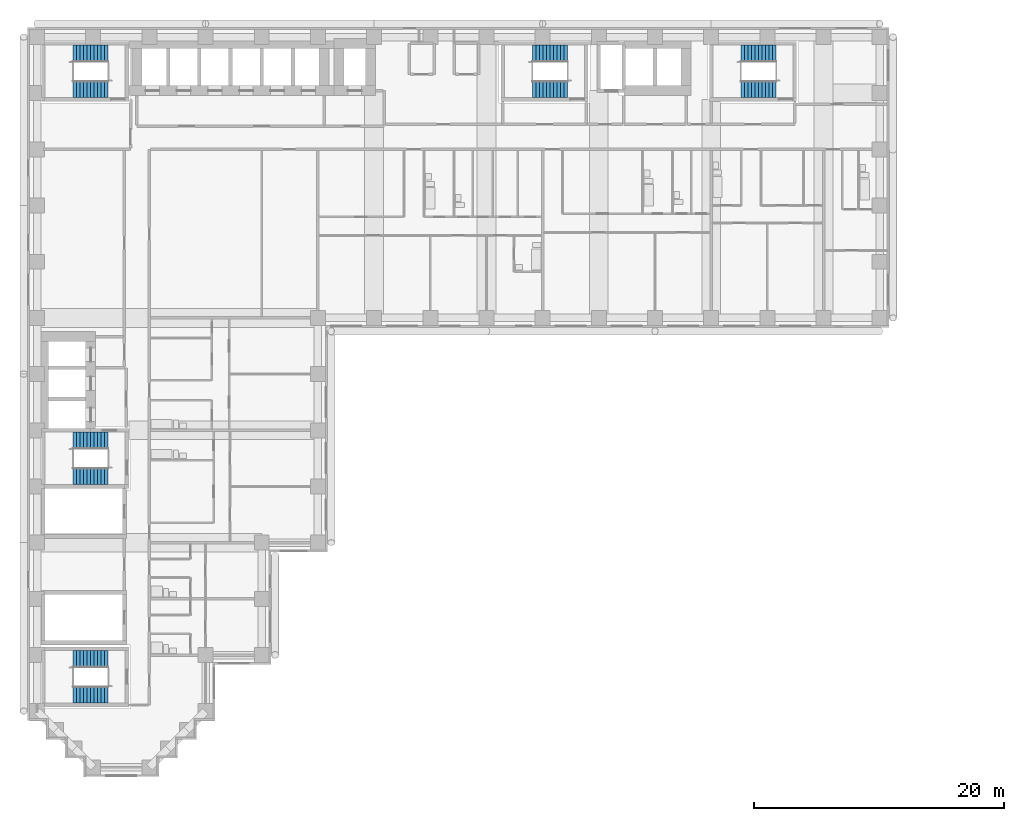
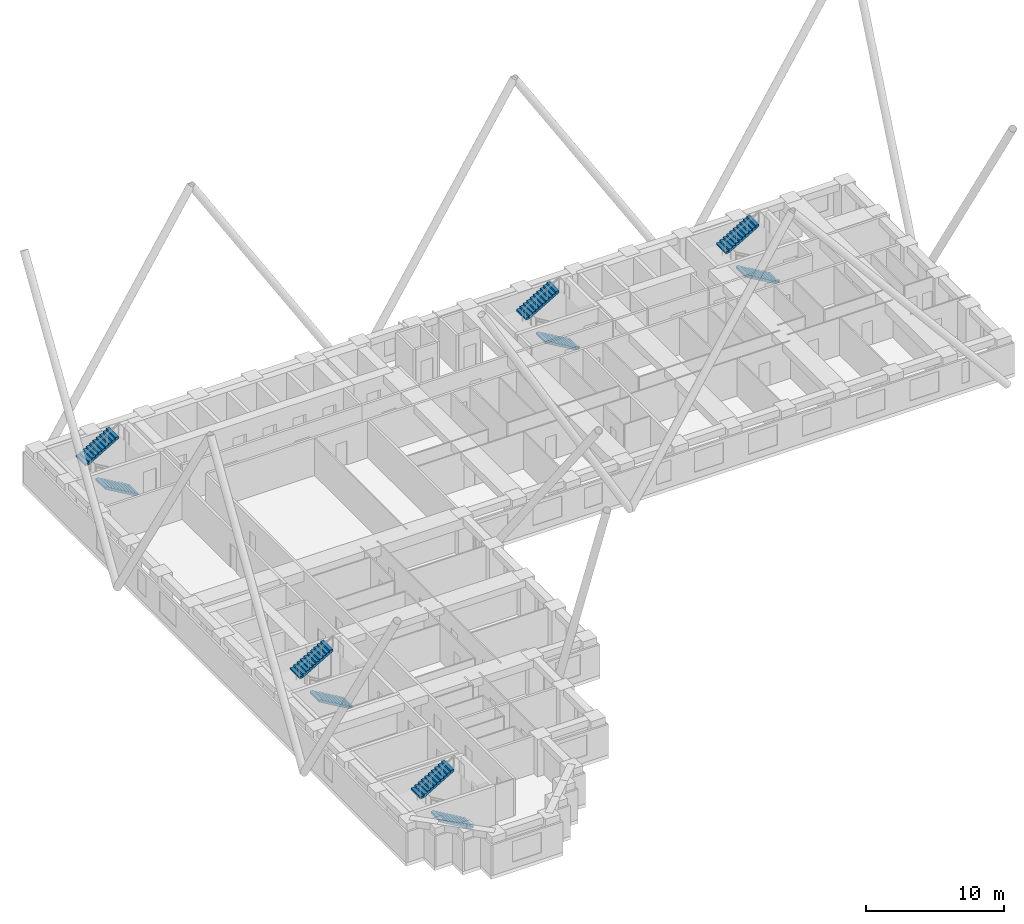
# One storey, part 16 of 20: 10 stair flights, 5 elements without a shape of their own.
"""IFC4 building model written with IfcOpenShell, lengths in metres."""

import ifcopenshell
import ifcopenshell.guid

model = None  # the IFC model being written
_history = None  # IfcOwnerHistory: only IFC2X3 demands one
_inside = {}  # id of a spatial element -> (the spatial element, [elements in it])
_under = {}  # id of a project, library or spatial element -> (it, [spatial elements below it])
_declared = {}  # id of a project -> (the project, [libraries it declares])
_typed = {}  # id of a type object -> (the type object, [elements of that type])
_made_of = {}  # id of a material, layer set ... -> (it, [elements and type objects made of it])


def new_model(schema):
    """Start an empty IFC model of exactly this schema.

    Asked for "IFC4X3", IfcOpenShell would pick the latest addendum, in which some entities
    have other attributes; the version numbers below select the first issue.
    IFC2X3 requires an IfcOwnerHistory on every rooted entity: one is made here for all.
    """
    global model, _history
    if schema == "IFC4X3":
        model = ifcopenshell.file(schema_version=(4, 3, 0, 0))
    else:
        model = ifcopenshell.file(schema=schema)
    _inside.clear()
    _under.clear()
    _declared.clear()
    _typed.clear()
    _made_of.clear()
    _history = None
    if model.schema == "IFC2X3":
        org = make("IfcOrganization", Name="unknown")
        user = make(
            "IfcPersonAndOrganization",
            ThePerson=make("IfcPerson", FamilyName="unknown"),
            TheOrganization=org,
        )
        app = make(
            "IfcApplication",
            ApplicationDeveloper=org,
            Version="unknown",
            ApplicationFullName="unknown",
            ApplicationIdentifier="unknown",
        )
        _history = make(
            "IfcOwnerHistory",
            OwningUser=user,
            OwningApplication=app,
            ChangeAction="ADDED",
            CreationDate=0,
        )
    return model


def make(cls, **values):
    """One entity of the class cls with the attributes given. An attribute that is None is left unset."""
    return model.create_entity(
        cls, **{name: value for name, value in values.items() if value is not None}
    )


def rooted(cls, **values):
    """An entity with a GlobalId (a new one), such as an element, a storey or a relation."""
    return make(cls, GlobalId=ifcopenshell.guid.new(), OwnerHistory=_history, **values)


def si_unit(unit_type, name, prefix=None):
    """IfcSIUnit, for example si_unit("LENGTHUNIT", "METRE", prefix="MILLI")."""
    return make("IfcSIUnit", UnitType=unit_type, Prefix=prefix, Name=name)


def assignment(units):
    """IfcUnitAssignment: the units of a project."""
    return None if units is None else make("IfcUnitAssignment", Units=units)


def point(xyz):
    """IfcCartesianPoint."""
    return None if xyz is None else make("IfcCartesianPoint", Coordinates=xyz)


def direction(xyz):
    """IfcDirection."""
    return None if xyz is None else make("IfcDirection", DirectionRatios=xyz)


def frame(location, z_axis=None, x_axis=None):
    """IfcAxis2Placement3D, a coordinate frame: its origin and axes. An axis left out is left unset."""
    return make(
        "IfcAxis2Placement3D",
        Location=point(location),
        Axis=direction(z_axis),
        RefDirection=direction(x_axis),
    )


def origin():
    """The frame at (0, 0, 0) with its axes left unset."""
    return frame((0.0, 0.0, 0.0))


def place(relative_to, where):
    """IfcLocalPlacement: puts the frame where relative to a parent placement (None: the world)."""
    return make(
        "IfcLocalPlacement", PlacementRelTo=relative_to, RelativePlacement=where
    )


def context(
    kind, dimensions, precision=None, world=None, true_north=None, identifier=None
):
    """IfcGeometricRepresentationContext, for example the 3D "Model" context."""
    return make(
        "IfcGeometricRepresentationContext",
        ContextIdentifier=identifier,
        ContextType=kind,
        CoordinateSpaceDimension=dimensions,
        Precision=precision,
        WorldCoordinateSystem=world,
        TrueNorth=true_north,
    )


def subcontext(parent, identifier, kind, view, scale=None):
    """IfcGeometricRepresentationSubContext, for example "Body" below "Model"."""
    return make(
        "IfcGeometricRepresentationSubContext",
        ContextIdentifier=identifier,
        ContextType=kind,
        ParentContext=parent,
        TargetScale=scale,
        TargetView=view,
    )


def project(units=None, contexts=None):
    """IfcProject with its units and contexts."""
    return rooted(
        "IfcProject",
        Name="project",
        RepresentationContexts=contexts,
        UnitsInContext=assignment(units),
    )


def spatial(cls, under=None, at=None, **own):
    """A site, building, storey or space (cls), placed at a placement, below another one or the project."""
    s = rooted(cls, ObjectPlacement=at, **own)
    if under is not None:
        _under.setdefault(under.id(), (under, []))[1].append(s)
    return s


def polyline(points):
    """IfcPolyline through the points."""
    return make("IfcPolyline", Points=[point(p) for p in points])


def outline(outer, holes=None, kind="AREA"):
    """IfcArbitraryClosedProfileDef: a profile drawn as a closed curve; with holes, ...WithVoids."""
    if holes is None:
        return make("IfcArbitraryClosedProfileDef", ProfileType=kind, OuterCurve=outer)
    return make(
        "IfcArbitraryProfileDefWithVoids",
        ProfileType=kind,
        OuterCurve=outer,
        InnerCurves=holes,
    )


def extrude(swept, where, along, depth):
    """IfcExtrudedAreaSolid: the profile swept, set in the frame where, extruded along a direction by depth."""
    return make(
        "IfcExtrudedAreaSolid",
        SweptArea=swept,
        Position=where,
        ExtrudedDirection=direction(along),
        Depth=depth,
    )


def shape(context_of_items, identifier, shape_type, items):
    """IfcShapeRepresentation: the items that make up one representation, for example the "Body"."""
    return make(
        "IfcShapeRepresentation",
        ContextOfItems=context_of_items,
        RepresentationIdentifier=identifier,
        RepresentationType=shape_type,
        Items=items,
    )


def material(Name=None, Category=None):
    """IfcMaterial."""
    return make("IfcMaterial", Name=Name, Category=Category)


def made_of(thing, what):
    """Note that an element or type object is made of a material, layer set ...; save() writes the relation."""
    if what is not None:
        _made_of.setdefault(what.id(), (what, []))[1].append(thing)
    return thing


def type_object(cls, material=None, **own):
    """A type object (cls), such as IfcWallType, which elements share."""
    return made_of(rooted(cls, **own), material)


def element(
    cls,
    number,
    at=None,
    inside=None,
    cuts=None,
    type_object=None,
    material=None,
    context=None,
    identifier="Body",
    shape_type=None,
    held_by="IfcProductDefinitionShape",
    body=None,
    shapes=None,
    **own,
):
    """One element of the class cls, such as IfcWall. Its Tag is "e" and its number.

    at: its placement. inside: the storey or other place that contains it. cuts: it is an
    opening in that element (IfcRelVoidsElement). A single representation is given by context,
    identifier, shape_type and body (its items); several are given by shapes. held_by: the class
    of the entity that holds the representations. save() writes the other relations.
    """
    e = rooted(cls, Tag="e%d" % number, ObjectPlacement=at, **own)
    if body is not None:
        shapes = [shape(context, identifier, shape_type, body)]
    if shapes is not None:
        e.Representation = make(held_by, Representations=shapes)
    if inside is not None:
        _inside.setdefault(inside.id(), (inside, []))[1].append(e)
    if cuts is not None:
        rooted(
            "IfcRelVoidsElement", RelatingBuildingElement=cuts, RelatedOpeningElement=e
        )
    if type_object is not None:
        _typed.setdefault(type_object.id(), (type_object, []))[1].append(e)
    return made_of(e, material)


def aggregate(whole, parts):
    """IfcRelAggregates: a whole, such as a stair, and the parts it consists of."""
    return rooted("IfcRelAggregates", RelatingObject=whole, RelatedObjects=parts)


def save(model, path):
    """Write the relations noted so far, then the file.

    IfcRelAggregates (storeys below a building ...), IfcRelContainedInSpatialStructure (elements
    in a storey), IfcRelDefinesByType, IfcRelAssociatesMaterial and IfcRelDeclares: one each for
    every whole, place, type object, material and project.
    """
    for whole, parts in _under.values():
        aggregate(whole, parts)
    for where, things in _inside.values():
        rooted(
            "IfcRelContainedInSpatialStructure",
            RelatedElements=things,
            RelatingStructure=where,
        )
    for kind, things in _typed.values():
        rooted("IfcRelDefinesByType", RelatedObjects=things, RelatingType=kind)
    for what, things in _made_of.values():
        rooted("IfcRelAssociatesMaterial", RelatedObjects=things, RelatingMaterial=what)
    for by, libraries in _declared.values():
        rooted("IfcRelDeclares", RelatingContext=by, RelatedDefinitions=libraries)
    model.write(path)


model = new_model("IFC4")

# Units and contexts
model_context = context("Model", 3, precision=1e-05, world=origin(), true_north=direction((0.0, 1.0)))
body_context = subcontext(model_context, "Body", "Model", "MODEL_VIEW")
ifc_project = project(units=[si_unit("LENGTHUNIT", "METRE"), si_unit("AREAUNIT", "SQUARE_METRE"), si_unit("VOLUMEUNIT", "CUBIC_METRE"), si_unit("PLANEANGLEUNIT", "RADIAN"), si_unit("MASSUNIT", "GRAM", prefix="KILO")], contexts=[model_context])

# Site, building, storey
site_placement = place(None, origin())
site = spatial("IfcSite", under=ifc_project, at=site_placement, CompositionType="ELEMENT")
building_placement = place(site_placement, origin())
building = spatial("IfcBuilding", under=site, at=building_placement, Name="Firuza Court", CompositionType="ELEMENT")
storey_placement = place(building_placement, frame((0.0, 0.0, 29.0)))
storey = spatial("IfcBuildingStorey", under=building, at=storey_placement, Name="L05", CompositionType="ELEMENT", Elevation=29.0)

# Stair, stair flights
ifc_material_1 = material(Name="Concrete C40/50 precast", Category="concrete")
stair_type = type_object("IfcStairType", Name="Stair 1350 x 3600 2 flights", PredefinedType="HALF_TURN_STAIR", material=ifc_material_1)
stair_1_placement = place(storey_placement, origin())
stair_1 = element("IfcStair", 1, at=stair_1_placement, inside=storey, type_object=stair_type, Name="Stair 1 L05", PredefinedType="HALF_TURN_STAIR")
ifc_material_2 = material(Name="Concrete C40/50 precast", Category="concrete")
stair_flight_type = type_object("IfcStairFlightType", Name="Flight 1350 riser 163.6", PredefinedType="STRAIGHT", material=ifc_material_2)
stair_flight_1_placement = place(storey_placement, frame((42.5, 54.324951171875, 0.0), z_axis=(0.0, 0.0, 1.0), x_axis=(-1.0, 0.0, 0.0)))
stair_flight_1 = element("IfcStairFlight", 2, at=stair_flight_1_placement, type_object=stair_flight_type, Name="S1 flight 1", NumberOfRisers=11, NumberOfTreads=10, PredefinedType="STRAIGHT", RiserHeight=0.163636364, TreadLength=0.28, context=body_context, shape_type="SweptSolid", body=[
    extrude(outline(polyline([(0.0, 0.0), (0.0, 0.16357421875), (0.280029296875, 0.16357421875), (0.280029296875, 0.327392578125), (0.56005859375, 0.327392578125), (0.56005859375, 0.490966796875), (0.840087890625, 0.490966796875), (0.840087890625, 0.654541015625), (1.1201171875, 0.654541015625), (1.1201171875, 0.818115234375), (1.39990234375, 0.818115234375), (1.39990234375, 0.98193359375), (1.679931640625, 0.98193359375), (1.679931640625, 1.1455078125), (1.9599609375, 1.1455078125), (1.9599609375, 1.30908203125), (2.239990234375, 1.30908203125), (2.239990234375, 1.47265625), (2.52001953125, 1.47265625), (2.52001953125, 1.636474609375), (2.800048828125, 1.636474609375), (2.800048828125, 1.800048828125), (2.800048828125, 1.462646484375), (0.297119140625, 0.0), (0.0, 0.0)])), frame((0.0, 0.675048828125, 0.0), z_axis=(0.0, -1.0, 0.0), x_axis=(1.0, 0.0, 0.0)), (0.0, 0.0, 1.0), 1.35009765625),
])
stair_flight_2_placement = place(storey_placement, frame((39.699951171875, 57.175048828125, 1.800048828125), z_axis=(0.0, 0.0, 1.0), x_axis=(1.0, 0.0, 0.0)))
stair_flight_2 = element("IfcStairFlight", 3, at=stair_flight_2_placement, type_object=stair_flight_type, Name="S1 flight 2", NumberOfRisers=11, NumberOfTreads=10, PredefinedType="STRAIGHT", RiserHeight=0.163636364, TreadLength=0.28, context=body_context, shape_type="SweptSolid", body=[
    extrude(outline(polyline([(0.0, 0.0), (0.0, 0.16357421875), (0.280029296875, 0.16357421875), (0.280029296875, 0.327392578125), (0.56005859375, 0.327392578125), (0.56005859375, 0.490966796875), (0.840087890625, 0.490966796875), (0.840087890625, 0.654541015625), (1.1201171875, 0.654541015625), (1.1201171875, 0.818115234375), (1.39990234375, 0.818115234375), (1.39990234375, 0.98193359375), (1.679931640625, 0.98193359375), (1.679931640625, 1.1455078125), (1.9599609375, 1.1455078125), (1.9599609375, 1.30908203125), (2.239990234375, 1.30908203125), (2.239990234375, 1.47265625), (2.52001953125, 1.47265625), (2.52001953125, 1.636474609375), (2.800048828125, 1.636474609375), (2.800048828125, 1.800048828125), (2.800048828125, 1.462646484375), (0.297119140625, 0.0), (0.0, 0.0)])), frame((0.0, 0.675048828125, 0.0), z_axis=(0.0, -1.0, 0.0), x_axis=(1.0, 0.0, 0.0)), (0.0, 0.0, 1.0), 1.35009765625),
])
aggregate(stair_1, [stair_flight_1, stair_flight_2])

stair_2_placement = place(storey_placement, origin())
stair_2 = element("IfcStair", 4, at=stair_2_placement, inside=storey, type_object=stair_type, Name="Stair 2 L05", PredefinedType="HALF_TURN_STAIR")
stair_flight_3_placement = place(storey_placement, frame((5.699951171875, 23.324951171875, 0.0), z_axis=(0.0, 0.0, 1.0), x_axis=(-1.0, 0.0, 0.0)))
stair_flight_3 = element("IfcStairFlight", 5, at=stair_flight_3_placement, type_object=stair_flight_type, Name="S2 flight 1", NumberOfRisers=11, NumberOfTreads=10, PredefinedType="STRAIGHT", RiserHeight=0.163636364, TreadLength=0.28, context=body_context, shape_type="SweptSolid", body=[
    extrude(outline(polyline([(0.0, 0.0), (0.0, 0.16357421875), (0.280029296875, 0.16357421875), (0.280029296875, 0.327392578125), (0.56005859375, 0.327392578125), (0.56005859375, 0.490966796875), (0.840087890625, 0.490966796875), (0.840087890625, 0.654541015625), (1.1201171875, 0.654541015625), (1.1201171875, 0.818115234375), (1.39990234375, 0.818115234375), (1.39990234375, 0.98193359375), (1.679931640625, 0.98193359375), (1.679931640625, 1.1455078125), (1.9599609375, 1.1455078125), (1.9599609375, 1.30908203125), (2.239990234375, 1.30908203125), (2.239990234375, 1.47265625), (2.52001953125, 1.47265625), (2.52001953125, 1.636474609375), (2.800048828125, 1.636474609375), (2.800048828125, 1.800048828125), (2.800048828125, 1.462646484375), (0.297119140625, 0.0), (0.0, 0.0)])), frame((0.0, 0.675048828125, 0.0), z_axis=(0.0, -1.0, 0.0), x_axis=(1.0, 0.0, 0.0)), (0.0, 0.0, 1.0), 1.35009765625),
])
stair_flight_4_placement = place(storey_placement, frame((2.89990234375, 26.175048828125, 1.800048828125), z_axis=(0.0, 0.0, 1.0), x_axis=(1.0, 0.0, 0.0)))
stair_flight_4 = element("IfcStairFlight", 6, at=stair_flight_4_placement, type_object=stair_flight_type, Name="S2 flight 2", NumberOfRisers=11, NumberOfTreads=10, PredefinedType="STRAIGHT", RiserHeight=0.163636364, TreadLength=0.28, context=body_context, shape_type="SweptSolid", body=[
    extrude(outline(polyline([(0.0, 0.0), (0.0, 0.16357421875), (0.280029296875, 0.16357421875), (0.280029296875, 0.327392578125), (0.56005859375, 0.327392578125), (0.56005859375, 0.490966796875), (0.840087890625, 0.490966796875), (0.840087890625, 0.654541015625), (1.1201171875, 0.654541015625), (1.1201171875, 0.818115234375), (1.39990234375, 0.818115234375), (1.39990234375, 0.98193359375), (1.679931640625, 0.98193359375), (1.679931640625, 1.1455078125), (1.9599609375, 1.1455078125), (1.9599609375, 1.30908203125), (2.239990234375, 1.30908203125), (2.239990234375, 1.47265625), (2.52001953125, 1.47265625), (2.52001953125, 1.636474609375), (2.800048828125, 1.636474609375), (2.800048828125, 1.800048828125), (2.800048828125, 1.462646484375), (0.297119140625, 0.0), (0.0, 0.0)])), frame((0.0, 0.675048828125, 0.0), z_axis=(0.0, -1.0, 0.0), x_axis=(1.0, 0.0, 0.0)), (0.0, 0.0, 1.0), 1.35009765625),
])
aggregate(stair_2, [stair_flight_3, stair_flight_4])

stair_3_placement = place(storey_placement, origin())
stair_3 = element("IfcStair", 7, at=stair_3_placement, inside=storey, type_object=stair_type, Name="Stair 3 L05", PredefinedType="HALF_TURN_STAIR")
stair_flight_5_placement = place(storey_placement, frame((5.699951171875, 54.324951171875, 0.0), z_axis=(0.0, 0.0, 1.0), x_axis=(-1.0, 0.0, 0.0)))
stair_flight_5 = element("IfcStairFlight", 8, at=stair_flight_5_placement, type_object=stair_flight_type, Name="S3 flight 1", NumberOfRisers=11, NumberOfTreads=10, PredefinedType="STRAIGHT", RiserHeight=0.163636364, TreadLength=0.28, context=body_context, shape_type="SweptSolid", body=[
    extrude(outline(polyline([(0.0, 0.0), (0.0, 0.16357421875), (0.280029296875, 0.16357421875), (0.280029296875, 0.327392578125), (0.56005859375, 0.327392578125), (0.56005859375, 0.490966796875), (0.840087890625, 0.490966796875), (0.840087890625, 0.654541015625), (1.1201171875, 0.654541015625), (1.1201171875, 0.818115234375), (1.39990234375, 0.818115234375), (1.39990234375, 0.98193359375), (1.679931640625, 0.98193359375), (1.679931640625, 1.1455078125), (1.9599609375, 1.1455078125), (1.9599609375, 1.30908203125), (2.239990234375, 1.30908203125), (2.239990234375, 1.47265625), (2.52001953125, 1.47265625), (2.52001953125, 1.636474609375), (2.800048828125, 1.636474609375), (2.800048828125, 1.800048828125), (2.800048828125, 1.462646484375), (0.297119140625, 0.0), (0.0, 0.0)])), frame((0.0, 0.675048828125, 0.0), z_axis=(0.0, -1.0, 0.0), x_axis=(1.0, 0.0, 0.0)), (0.0, 0.0, 1.0), 1.35009765625),
])
stair_flight_6_placement = place(storey_placement, frame((2.89990234375, 57.175048828125, 1.800048828125), z_axis=(0.0, 0.0, 1.0), x_axis=(1.0, 0.0, 0.0)))
stair_flight_6 = element("IfcStairFlight", 9, at=stair_flight_6_placement, type_object=stair_flight_type, Name="S3 flight 2", NumberOfRisers=11, NumberOfTreads=10, PredefinedType="STRAIGHT", RiserHeight=0.163636364, TreadLength=0.28, context=body_context, shape_type="SweptSolid", body=[
    extrude(outline(polyline([(0.0, 0.0), (0.0, 0.16357421875), (0.280029296875, 0.16357421875), (0.280029296875, 0.327392578125), (0.56005859375, 0.327392578125), (0.56005859375, 0.490966796875), (0.840087890625, 0.490966796875), (0.840087890625, 0.654541015625), (1.1201171875, 0.654541015625), (1.1201171875, 0.818115234375), (1.39990234375, 0.818115234375), (1.39990234375, 0.98193359375), (1.679931640625, 0.98193359375), (1.679931640625, 1.1455078125), (1.9599609375, 1.1455078125), (1.9599609375, 1.30908203125), (2.239990234375, 1.30908203125), (2.239990234375, 1.47265625), (2.52001953125, 1.47265625), (2.52001953125, 1.636474609375), (2.800048828125, 1.636474609375), (2.800048828125, 1.800048828125), (2.800048828125, 1.462646484375), (0.297119140625, 0.0), (0.0, 0.0)])), frame((0.0, 0.675048828125, 0.0), z_axis=(0.0, -1.0, 0.0), x_axis=(1.0, 0.0, 0.0)), (0.0, 0.0, 1.0), 1.35009765625),
])
aggregate(stair_3, [stair_flight_5, stair_flight_6])

stair_4_placement = place(storey_placement, origin())
stair_4 = element("IfcStair", 10, at=stair_4_placement, inside=storey, type_object=stair_type, Name="Stair 4 L05", PredefinedType="HALF_TURN_STAIR")
stair_flight_7_placement = place(storey_placement, frame((59.199951171875, 54.324951171875, 0.0), z_axis=(0.0, 0.0, 1.0), x_axis=(-1.0, 0.0, 0.0)))
stair_flight_7 = element("IfcStairFlight", 11, at=stair_flight_7_placement, type_object=stair_flight_type, Name="S4 flight 1", NumberOfRisers=11, NumberOfTreads=10, PredefinedType="STRAIGHT", RiserHeight=0.163636364, TreadLength=0.28, context=body_context, shape_type="SweptSolid", body=[
    extrude(outline(polyline([(0.0, 0.0), (0.0, 0.16357421875), (0.280029296875, 0.16357421875), (0.280029296875, 0.327392578125), (0.56005859375, 0.327392578125), (0.56005859375, 0.490966796875), (0.840087890625, 0.490966796875), (0.840087890625, 0.654541015625), (1.1201171875, 0.654541015625), (1.1201171875, 0.818115234375), (1.39990234375, 0.818115234375), (1.39990234375, 0.98193359375), (1.679931640625, 0.98193359375), (1.679931640625, 1.1455078125), (1.9599609375, 1.1455078125), (1.9599609375, 1.30908203125), (2.239990234375, 1.30908203125), (2.239990234375, 1.47265625), (2.52001953125, 1.47265625), (2.52001953125, 1.636474609375), (2.800048828125, 1.636474609375), (2.800048828125, 1.800048828125), (2.800048828125, 1.462646484375), (0.297119140625, 0.0), (0.0, 0.0)])), frame((0.0, 0.675048828125, 0.0), z_axis=(0.0, -1.0, 0.0), x_axis=(1.0, 0.0, 0.0)), (0.0, 0.0, 1.0), 1.35009765625),
])
stair_flight_8_placement = place(storey_placement, frame((56.39990234375, 57.175048828125, 1.800048828125), z_axis=(0.0, 0.0, 1.0), x_axis=(1.0, 0.0, 0.0)))
stair_flight_8 = element("IfcStairFlight", 12, at=stair_flight_8_placement, type_object=stair_flight_type, Name="S4 flight 2", NumberOfRisers=11, NumberOfTreads=10, PredefinedType="STRAIGHT", RiserHeight=0.163636364, TreadLength=0.28, context=body_context, shape_type="SweptSolid", body=[
    extrude(outline(polyline([(0.0, 0.0), (0.0, 0.16357421875), (0.280029296875, 0.16357421875), (0.280029296875, 0.327392578125), (0.56005859375, 0.327392578125), (0.56005859375, 0.490966796875), (0.840087890625, 0.490966796875), (0.840087890625, 0.654541015625), (1.1201171875, 0.654541015625), (1.1201171875, 0.818115234375), (1.39990234375, 0.818115234375), (1.39990234375, 0.98193359375), (1.679931640625, 0.98193359375), (1.679931640625, 1.1455078125), (1.9599609375, 1.1455078125), (1.9599609375, 1.30908203125), (2.239990234375, 1.30908203125), (2.239990234375, 1.47265625), (2.52001953125, 1.47265625), (2.52001953125, 1.636474609375), (2.800048828125, 1.636474609375), (2.800048828125, 1.800048828125), (2.800048828125, 1.462646484375), (0.297119140625, 0.0), (0.0, 0.0)])), frame((0.0, 0.675048828125, 0.0), z_axis=(0.0, -1.0, 0.0), x_axis=(1.0, 0.0, 0.0)), (0.0, 0.0, 1.0), 1.35009765625),
])
aggregate(stair_4, [stair_flight_7, stair_flight_8])

stair_5_placement = place(storey_placement, origin())
stair_5 = element("IfcStair", 13, at=stair_5_placement, inside=storey, type_object=stair_type, Name="Stair 5 L05", PredefinedType="HALF_TURN_STAIR")
stair_flight_9_placement = place(storey_placement, frame((5.699951171875, 5.824951171875, 0.0), z_axis=(0.0, 0.0, 1.0), x_axis=(-1.0, 0.0, 0.0)))
stair_flight_9 = element("IfcStairFlight", 14, at=stair_flight_9_placement, type_object=stair_flight_type, Name="S5 flight 1", NumberOfRisers=11, NumberOfTreads=10, PredefinedType="STRAIGHT", RiserHeight=0.163636364, TreadLength=0.28, context=body_context, shape_type="SweptSolid", body=[
    extrude(outline(polyline([(0.0, 0.0), (0.0, 0.16357421875), (0.280029296875, 0.16357421875), (0.280029296875, 0.327392578125), (0.56005859375, 0.327392578125), (0.56005859375, 0.490966796875), (0.840087890625, 0.490966796875), (0.840087890625, 0.654541015625), (1.1201171875, 0.654541015625), (1.1201171875, 0.818115234375), (1.39990234375, 0.818115234375), (1.39990234375, 0.98193359375), (1.679931640625, 0.98193359375), (1.679931640625, 1.1455078125), (1.9599609375, 1.1455078125), (1.9599609375, 1.30908203125), (2.239990234375, 1.30908203125), (2.239990234375, 1.47265625), (2.52001953125, 1.47265625), (2.52001953125, 1.636474609375), (2.800048828125, 1.636474609375), (2.800048828125, 1.800048828125), (2.800048828125, 1.462646484375), (0.297119140625, 0.0), (0.0, 0.0)])), frame((0.0, 0.675048828125, 0.0), z_axis=(0.0, -1.0, 0.0), x_axis=(1.0, 0.0, 0.0)), (0.0, 0.0, 1.0), 1.35009765625),
])
stair_flight_10_placement = place(storey_placement, frame((2.89990234375, 8.675048828125, 1.800048828125), z_axis=(0.0, 0.0, 1.0), x_axis=(1.0, 0.0, 0.0)))
stair_flight_10 = element("IfcStairFlight", 15, at=stair_flight_10_placement, type_object=stair_flight_type, Name="S5 flight 2", NumberOfRisers=11, NumberOfTreads=10, PredefinedType="STRAIGHT", RiserHeight=0.163636364, TreadLength=0.28, context=body_context, shape_type="SweptSolid", body=[
    extrude(outline(polyline([(0.0, 0.0), (0.0, 0.16357421875), (0.280029296875, 0.16357421875), (0.280029296875, 0.327392578125), (0.56005859375, 0.327392578125), (0.56005859375, 0.490966796875), (0.840087890625, 0.490966796875), (0.840087890625, 0.654541015625), (1.1201171875, 0.654541015625), (1.1201171875, 0.818115234375), (1.39990234375, 0.818115234375), (1.39990234375, 0.98193359375), (1.679931640625, 0.98193359375), (1.679931640625, 1.1455078125), (1.9599609375, 1.1455078125), (1.9599609375, 1.30908203125), (2.239990234375, 1.30908203125), (2.239990234375, 1.47265625), (2.52001953125, 1.47265625), (2.52001953125, 1.636474609375), (2.800048828125, 1.636474609375), (2.800048828125, 1.800048828125), (2.800048828125, 1.462646484375), (0.297119140625, 0.0), (0.0, 0.0)])), frame((0.0, 0.675048828125, 0.0), z_axis=(0.0, -1.0, 0.0), x_axis=(1.0, 0.0, 0.0)), (0.0, 0.0, 1.0), 1.35009765625),
])
aggregate(stair_5, [stair_flight_9, stair_flight_10])

save(model, "model.ifc")
